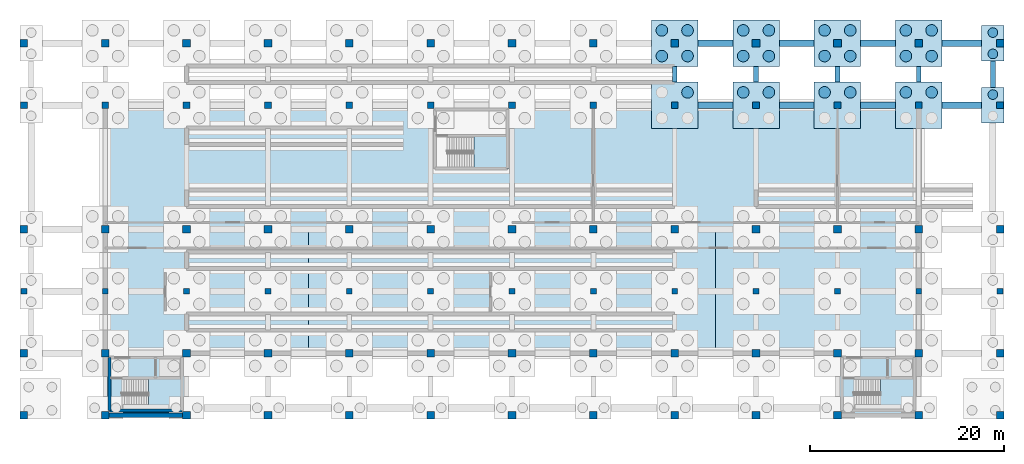
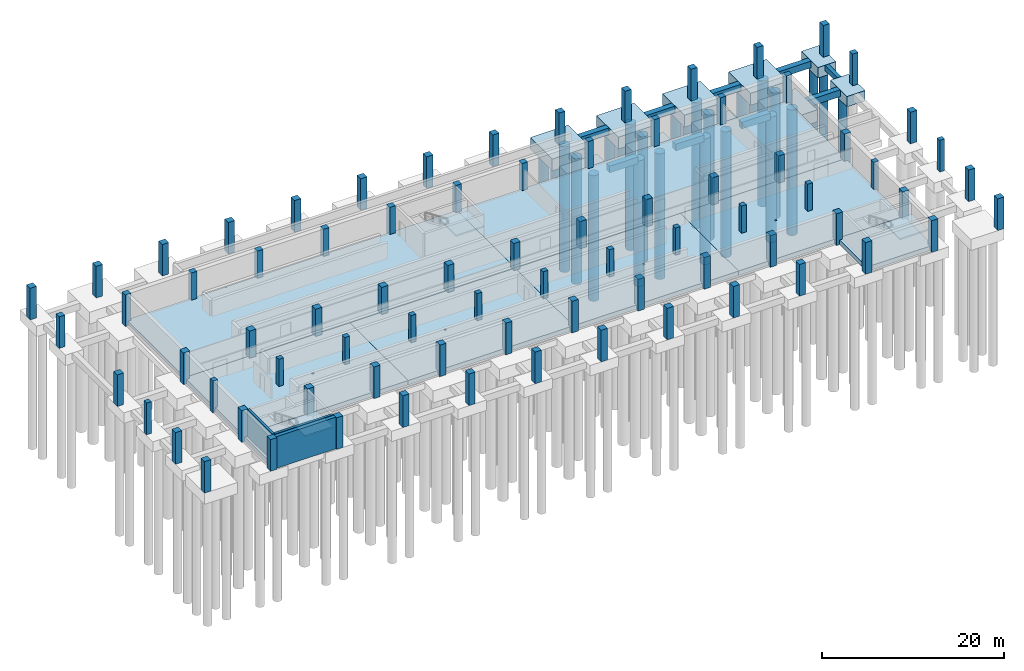
# One storey, part 4 of 9: 78 columns, 26 piles, 23 footings, 11 slabs, 3 walls, 3 elements without a shape of their own.
"""IFC4 building model written with IfcOpenShell, lengths in metres."""

from ifc_helpers import new_model, si_unit, direction, frame, frame_2d, origin, origin_2d, place, context, subcontext, project, spatial, polyline, rectangle, circle, outline, extrude, material, layer, layer_set, material_profile, profile_set, type_object, element, aggregate, save


model = new_model("IFC4")

# Units and contexts
model_context = context("Model", 3, precision=1e-05, world=origin(), true_north=direction((0.0, 1.0)))
body_context = subcontext(model_context, "Body", "Model", "MODEL_VIEW")
ifc_project = project(units=[si_unit("LENGTHUNIT", "METRE"), si_unit("AREAUNIT", "SQUARE_METRE"), si_unit("VOLUMEUNIT", "CUBIC_METRE"), si_unit("PLANEANGLEUNIT", "RADIAN"), si_unit("MASSUNIT", "GRAM", prefix="KILO")], contexts=[model_context])

# Site, building, storey
site_placement = place(None, origin())
site = spatial("IfcSite", under=ifc_project, at=site_placement, CompositionType="ELEMENT")
building_placement = place(site_placement, origin())
building = spatial("IfcBuilding", under=site, at=building_placement, Name="Kazenagashi Tramway Depot", CompositionType="ELEMENT")
storey_placement = place(building_placement, frame((0.0, 0.0, -4.0)))
storey = spatial("IfcBuildingStorey", under=building, at=storey_placement, Name="B01", CompositionType="ELEMENT", Elevation=-4.0)

# Piles
ifc_material_1 = material(Name="Concrete Fc30", Category="concrete")
ifc_material_profile_1 = material_profile(ifc_material_1, circle(Radius=0.5, at=origin_2d()), Name="PILE-1000")
ifc_profile_set_1 = profile_set([ifc_material_profile_1], Name="Concrete Fc30")
pile_type_1 = type_object("IfcPileType", Name="BP-01", PredefinedType="BORED", material=ifc_profile_set_1)
for number, where, z_axis, x_axis, name in (
    (1, (144.85, 53.8, -1.9), (0.0, 0.0, -1.0), (1.0, 0.0, 0.0), "Bored Pile BP-01 PILE-0475"),
    (2, (144.85, 56.0, -1.9), (0.0, 0.0, -1.0), (1.0, 0.0, 0.0), "Bored Pile BP-01 PILE-0476"),
    (3, (144.85, 49.6, -1.9), (0.0, 0.0, -1.0), (1.0, 0.0, 0.0), "Bored Pile BP-01 PILE-0478"),
):
    element("IfcPile", number, at=place(storey_placement, frame(where, z_axis=z_axis, x_axis=x_axis)), inside=storey, type_object=pile_type_1, Name=name, PredefinedType="BORED", context=body_context, shape_type="SweptSolid", body=[
        extrude(circle(Radius=0.5, at=origin_2d()), origin(), (0.0, 0.0, 1.0), 17.1),
    ])
ifc_material_profile_2 = material_profile(ifc_material_1, circle(Radius=0.6, at=origin_2d()), Name="PILE-1200")
ifc_profile_set_2 = profile_set([ifc_material_profile_2], Name="Concrete Fc30")
pile_type_2 = type_object("IfcPileType", Name="BP-02", PredefinedType="BORED", material=ifc_profile_set_2)
for number, where, z_axis, x_axis, name in (
    (4, (110.675, 53.575, -2.1), (0.0, 0.0, -1.0), (1.0, 0.0, 0.0), "Bored Pile BP-02 PILE-0391"),
    (5, (113.325, 53.575, -2.1), (0.0, 0.0, -1.0), (1.0, 0.0, 0.0), "Bored Pile BP-02 PILE-0392"),
    (6, (110.675, 56.225, -2.1), (0.0, 0.0, -1.0), (1.0, 0.0, 0.0), "Bored Pile BP-02 PILE-0393"),
    (7, (113.325, 56.225, -2.1), (0.0, 0.0, -1.0), (1.0, 0.0, 0.0), "Bored Pile BP-02 PILE-0394"),
    (8, (113.325, 49.825, -2.1), (0.0, 0.0, -1.0), (1.0, 0.0, 0.0), "Bored Pile BP-02 PILE-0398"),
    (9, (119.075, 53.575, -2.1), (0.0, 0.0, -1.0), (1.0, 0.0, 0.0), "Bored Pile BP-02 PILE-0413"),
    (10, (121.725, 53.575, -2.1), (0.0, 0.0, -1.0), (1.0, 0.0, 0.0), "Bored Pile BP-02 PILE-0414"),
    (11, (119.075, 56.225, -2.1), (0.0, 0.0, -1.0), (1.0, 0.0, 0.0), "Bored Pile BP-02 PILE-0415"),
    (12, (121.725, 56.225, -2.1), (0.0, 0.0, -1.0), (1.0, 0.0, 0.0), "Bored Pile BP-02 PILE-0416"),
    (13, (119.075, 49.825, -2.1), (0.0, 0.0, -1.0), (1.0, 0.0, 0.0), "Bored Pile BP-02 PILE-0419"),
    (14, (121.725, 49.825, -2.1), (0.0, 0.0, -1.0), (1.0, 0.0, 0.0), "Bored Pile BP-02 PILE-0420"),
    (15, (127.475, 53.575, -2.1), (0.0, 0.0, -1.0), (1.0, 0.0, 0.0), "Bored Pile BP-02 PILE-0435"),
    (16, (130.125, 53.575, -2.1), (0.0, 0.0, -1.0), (1.0, 0.0, 0.0), "Bored Pile BP-02 PILE-0436"),
    (17, (127.475, 56.225, -2.1), (0.0, 0.0, -1.0), (1.0, 0.0, 0.0), "Bored Pile BP-02 PILE-0437"),
    (18, (130.125, 56.225, -2.1), (0.0, 0.0, -1.0), (1.0, 0.0, 0.0), "Bored Pile BP-02 PILE-0438"),
    (19, (127.475, 49.825, -2.1), (0.0, 0.0, -1.0), (1.0, 0.0, 0.0), "Bored Pile BP-02 PILE-0441"),
    (20, (130.125, 49.825, -2.1), (0.0, 0.0, -1.0), (1.0, 0.0, 0.0), "Bored Pile BP-02 PILE-0442"),
    (21, (135.875, 53.575, -2.1), (0.0, 0.0, -1.0), (1.0, 0.0, 0.0), "Bored Pile BP-02 PILE-0457"),
    (22, (138.525, 53.575, -2.1), (0.0, 0.0, -1.0), (1.0, 0.0, 0.0), "Bored Pile BP-02 PILE-0458"),
    (23, (135.875, 56.225, -2.1), (0.0, 0.0, -1.0), (1.0, 0.0, 0.0), "Bored Pile BP-02 PILE-0459"),
    (24, (138.525, 56.225, -2.1), (0.0, 0.0, -1.0), (1.0, 0.0, 0.0), "Bored Pile BP-02 PILE-0460"),
    (25, (135.875, 49.825, -2.1), (0.0, 0.0, -1.0), (1.0, 0.0, 0.0), "Bored Pile BP-02 PILE-0463"),
    (26, (138.525, 49.825, -2.1), (0.0, 0.0, -1.0), (1.0, 0.0, 0.0), "Bored Pile BP-02 PILE-0464"),
):
    element("IfcPile", number, at=place(storey_placement, frame(where, z_axis=z_axis, x_axis=x_axis)), inside=storey, type_object=pile_type_2, Name=name, PredefinedType="BORED", context=body_context, shape_type="SweptSolid", body=[
        extrude(circle(Radius=0.6, at=origin_2d()), origin(), (0.0, 0.0, 1.0), 16.9),
    ])

# Footings
footing_type_1 = type_object("IfcFootingType", Name="FB-02", PredefinedType="FOOTING_BEAM", material=ifc_material_1)
footing_1_placement = place(storey_placement, frame((0.0, 0.0, -1.5)))
element("IfcFooting", 27, at=footing_1_placement, inside=storey, type_object=footing_type_1, Name="Footing Tie Beam FB-0480", PredefinedType="FOOTING_BEAM", context=body_context, shape_type="SweptSolid", body=[
    extrude(outline(polyline([(114.4, 48.15), (118.0, 48.15), (118.0, 48.85), (114.4, 48.85), (114.4, 48.15)])), origin(), (0.0, 0.0, 1.0), 0.9),
])
footing_2_placement = place(storey_placement, frame((0.0, 0.0, -1.5)))
element("IfcFooting", 28, at=footing_2_placement, inside=storey, type_object=footing_type_1, Name="Footing Tie Beam FB-0481", PredefinedType="FOOTING_BEAM", context=body_context, shape_type="SweptSolid", body=[
    extrude(outline(polyline([(122.8, 48.15), (126.4, 48.15), (126.4, 48.85), (122.8, 48.85), (122.8, 48.15)])), origin(), (0.0, 0.0, 1.0), 0.9),
])
footing_3_placement = place(storey_placement, frame((0.0, 0.0, -1.5)))
element("IfcFooting", 29, at=footing_3_placement, inside=storey, type_object=footing_type_1, Name="Footing Tie Beam FB-0482", PredefinedType="FOOTING_BEAM", context=body_context, shape_type="SweptSolid", body=[
    extrude(outline(polyline([(131.2, 48.15), (134.8, 48.15), (134.8, 48.85), (131.2, 48.85), (131.2, 48.15)])), origin(), (0.0, 0.0, 1.0), 0.9),
])
footing_4_placement = place(storey_placement, frame((0.0, 0.0, -1.5)))
element("IfcFooting", 30, at=footing_4_placement, inside=storey, type_object=footing_type_1, Name="Footing Tie Beam FB-0483", PredefinedType="FOOTING_BEAM", context=body_context, shape_type="SweptSolid", body=[
    extrude(outline(polyline([(139.6, 48.15), (143.7, 48.15), (143.7, 48.85), (139.6, 48.85), (139.6, 48.15)])), origin(), (0.0, 0.0, 1.0), 0.9),
])
footing_5_placement = place(storey_placement, frame((0.0, 0.0, -1.5)))
element("IfcFooting", 31, at=footing_5_placement, inside=storey, type_object=footing_type_1, Name="Footing Tie Beam FB-0492", PredefinedType="FOOTING_BEAM", context=body_context, shape_type="SweptSolid", body=[
    extrude(outline(polyline([(114.4, 54.55), (118.0, 54.55), (118.0, 55.25), (114.4, 55.25), (114.4, 54.55)])), origin(), (0.0, 0.0, 1.0), 0.9),
])
footing_6_placement = place(storey_placement, frame((0.0, 0.0, -1.5)))
element("IfcFooting", 32, at=footing_6_placement, inside=storey, type_object=footing_type_1, Name="Footing Tie Beam FB-0493", PredefinedType="FOOTING_BEAM", context=body_context, shape_type="SweptSolid", body=[
    extrude(outline(polyline([(122.8, 54.55), (126.4, 54.55), (126.4, 55.25), (122.8, 55.25), (122.8, 54.55)])), origin(), (0.0, 0.0, 1.0), 0.9),
])
footing_7_placement = place(storey_placement, frame((0.0, 0.0, -1.5)))
element("IfcFooting", 33, at=footing_7_placement, inside=storey, type_object=footing_type_1, Name="Footing Tie Beam FB-0494", PredefinedType="FOOTING_BEAM", context=body_context, shape_type="SweptSolid", body=[
    extrude(outline(polyline([(131.2, 54.55), (134.8, 54.55), (134.8, 55.25), (131.2, 55.25), (131.2, 54.55)])), origin(), (0.0, 0.0, 1.0), 0.9),
])
footing_8_placement = place(storey_placement, frame((0.0, 0.0, -1.5)))
element("IfcFooting", 34, at=footing_8_placement, inside=storey, type_object=footing_type_1, Name="Footing Tie Beam FB-0495", PredefinedType="FOOTING_BEAM", context=body_context, shape_type="SweptSolid", body=[
    extrude(outline(polyline([(139.6, 54.55), (143.7, 54.55), (143.7, 55.25), (139.6, 55.25), (139.6, 54.55)])), origin(), (0.0, 0.0, 1.0), 0.9),
])
footing_type_2 = type_object("IfcFootingType", Name="FB-03", PredefinedType="FOOTING_BEAM", material=ifc_material_1)
footing_9_placement = place(storey_placement, frame((0.0, 0.0, -1.35)))
element("IfcFooting", 35, at=footing_9_placement, inside=storey, type_object=footing_type_2, Name="Footing Tie Beam FB-0539", PredefinedType="FOOTING_BEAM", context=body_context, shape_type="SweptSolid", body=[
    extrude(outline(polyline([(111.75, 50.9), (112.25, 50.9), (112.25, 52.5), (111.75, 52.5), (111.75, 50.9)])), origin(), (0.0, 0.0, 1.0), 0.75),
])
footing_10_placement = place(storey_placement, frame((0.0, 0.0, -1.35)))
element("IfcFooting", 36, at=footing_10_placement, inside=storey, type_object=footing_type_2, Name="Footing Tie Beam FB-0544", PredefinedType="FOOTING_BEAM", context=body_context, shape_type="SweptSolid", body=[
    extrude(outline(polyline([(120.15, 50.9), (120.65, 50.9), (120.65, 52.5), (120.15, 52.5), (120.15, 50.9)])), origin(), (0.0, 0.0, 1.0), 0.75),
])
footing_11_placement = place(storey_placement, frame((0.0, 0.0, -1.35)))
element("IfcFooting", 37, at=footing_11_placement, inside=storey, type_object=footing_type_2, Name="Footing Tie Beam FB-0549", PredefinedType="FOOTING_BEAM", context=body_context, shape_type="SweptSolid", body=[
    extrude(outline(polyline([(128.55, 50.9), (129.05, 50.9), (129.05, 52.5), (128.55, 52.5), (128.55, 50.9)])), origin(), (0.0, 0.0, 1.0), 0.75),
])
footing_12_placement = place(storey_placement, frame((0.0, 0.0, -1.35)))
element("IfcFooting", 38, at=footing_12_placement, inside=storey, type_object=footing_type_2, Name="Footing Tie Beam FB-0554", PredefinedType="FOOTING_BEAM", context=body_context, shape_type="SweptSolid", body=[
    extrude(outline(polyline([(136.95, 50.9), (137.45, 50.9), (137.45, 52.5), (136.95, 52.5), (136.95, 50.9)])), origin(), (0.0, 0.0, 1.0), 0.75),
])
footing_13_placement = place(storey_placement, frame((0.0, 0.0, -1.35)))
element("IfcFooting", 39, at=footing_13_placement, inside=storey, type_object=footing_type_2, Name="Footing Tie Beam FB-0558", PredefinedType="FOOTING_BEAM", context=body_context, shape_type="SweptSolid", body=[
    extrude(outline(polyline([(144.6, 50.32), (145.1, 50.32), (145.1, 53.08), (144.6, 53.08), (144.6, 50.32)])), origin(), (0.0, 0.0, 1.0), 0.75),
])
footing_type_3 = type_object("IfcFootingType", Name="PC-06", PredefinedType="PILE_CAP", material=ifc_material_1)
for number, where, z_axis, x_axis, name in (
    (40, (112.0, 54.9, -2.2), (0.0, 0.0, 1.0), (1.0, 0.0, 0.0), "Pile Cap PC-06 CAP-138"),
    (41, (112.0, 48.5, -2.2), (0.0, 0.0, 1.0), (1.0, 0.0, 0.0), "Pile Cap PC-06 CAP-139"),
    (42, (120.4, 54.9, -2.2), (0.0, 0.0, 1.0), (1.0, 0.0, 0.0), "Pile Cap PC-06 CAP-144"),
    (43, (120.4, 48.5, -2.2), (0.0, 0.0, 1.0), (1.0, 0.0, 0.0), "Pile Cap PC-06 CAP-145"),
    (44, (128.8, 54.9, -2.2), (0.0, 0.0, 1.0), (1.0, 0.0, 0.0), "Pile Cap PC-06 CAP-150"),
    (45, (128.8, 48.5, -2.2), (0.0, 0.0, 1.0), (1.0, 0.0, 0.0), "Pile Cap PC-06 CAP-151"),
    (46, (137.2, 54.9, -2.2), (0.0, 0.0, 1.0), (1.0, 0.0, 0.0), "Pile Cap PC-06 CAP-156"),
    (47, (137.2, 48.5, -2.2), (0.0, 0.0, 1.0), (1.0, 0.0, 0.0), "Pile Cap PC-06 CAP-157"),
):
    element("IfcFooting", number, at=place(storey_placement, frame(where, z_axis=z_axis, x_axis=x_axis)), inside=storey, type_object=footing_type_3, Name=name, PredefinedType="PILE_CAP", context=body_context, shape_type="SweptSolid", body=[
        extrude(rectangle(XDim=4.8, YDim=4.8, at=origin_2d()), origin(), (0.0, 0.0, 1.0), 1.6),
    ])
footing_type_4 = type_object("IfcFootingType", Name="PC-11", PredefinedType="PILE_CAP", material=ifc_material_1)
for number, where, z_axis, x_axis, name in (
    (48, (144.85, 54.9, -2.0), (0.0, 0.0, 1.0), (1.0, 0.0, 0.0), "Pile Cap PC-11 CAP-162"),
    (49, (144.85, 48.5, -2.0), (0.0, 0.0, 1.0), (1.0, 0.0, 0.0), "Pile Cap PC-11 CAP-163"),
):
    element("IfcFooting", number, at=place(storey_placement, frame(where, z_axis=z_axis, x_axis=x_axis)), inside=storey, type_object=footing_type_4, Name=name, PredefinedType="PILE_CAP", context=body_context, shape_type="SweptSolid", body=[
        extrude(rectangle(XDim=2.3, YDim=3.64, at=origin_2d()), origin(), (0.0, 0.0, 1.0), 1.4),
    ])

# Columns
ifc_material_2 = material(Name="Concrete Fc36", Category="concrete")
ifc_material_profile_3 = material_profile(ifc_material_2, rectangle(XDim=0.8, YDim=0.8, at=origin_2d()), Name="RC-800x800")
ifc_profile_set_3 = profile_set([ifc_material_profile_3], Name="Concrete Fc36")
column_type_1 = type_object("IfcColumnType", Name="C-01", PredefinedType="COLUMN", material=ifc_profile_set_3)
for number, where, z_axis, x_axis, name in (
    (50, (44.8, 16.5, -0.6), (0.0, 0.0, 1.0), (1.0, 0.0, 0.0), "Column C-01 COL-0143"),
    (51, (44.8, 22.9, -0.6), (0.0, 0.0, 1.0), (1.0, 0.0, 0.0), "Column C-01 COL-0147"),
    (52, (44.8, 35.7, -0.6), (0.0, 0.0, 1.0), (1.0, 0.0, 0.0), "Column C-01 COL-0153"),
    (53, (44.8, 54.9, -0.6), (0.0, 0.0, 1.0), (1.0, 0.0, 0.0), "Column C-01 COL-0156"),
    (54, (53.2, 16.5, -0.6), (0.0, 0.0, 1.0), (1.0, 0.0, 0.0), "Column C-01 COL-0160"),
    (55, (53.2, 22.9, -0.6), (0.0, 0.0, 1.0), (1.0, 0.0, 0.0), "Column C-01 COL-0164"),
    (56, (53.2, 35.7, -0.6), (0.0, 0.0, 1.0), (1.0, 0.0, 0.0), "Column C-01 COL-0170"),
    (57, (53.2, 54.9, -0.6), (0.0, 0.0, 1.0), (1.0, 0.0, 0.0), "Column C-01 COL-0173"),
    (58, (61.6, 16.5, -0.6), (0.0, 0.0, 1.0), (1.0, 0.0, 0.0), "Column C-01 COL-0177"),
    (59, (61.6, 22.9, -0.6), (0.0, 0.0, 1.0), (1.0, 0.0, 0.0), "Column C-01 COL-0181"),
    (60, (61.6, 35.7, -0.6), (0.0, 0.0, 1.0), (1.0, 0.0, 0.0), "Column C-01 COL-0187"),
    (61, (61.6, 54.9, -0.6), (0.0, 0.0, 1.0), (1.0, 0.0, 0.0), "Column C-01 COL-0190"),
    (62, (70.0, 16.5, -0.6), (0.0, 0.0, 1.0), (1.0, 0.0, 0.0), "Column C-01 COL-0194"),
    (63, (70.0, 22.9, -0.6), (0.0, 0.0, 1.0), (1.0, 0.0, 0.0), "Column C-01 COL-0198"),
    (64, (70.0, 35.7, -0.6), (0.0, 0.0, 1.0), (1.0, 0.0, 0.0), "Column C-01 COL-0204"),
    (65, (70.0, 54.9, -0.6), (0.0, 0.0, 1.0), (1.0, 0.0, 0.0), "Column C-01 COL-0207"),
    (66, (78.4, 16.5, -0.6), (0.0, 0.0, 1.0), (1.0, 0.0, 0.0), "Column C-01 COL-0211"),
    (67, (78.4, 22.9, -0.6), (0.0, 0.0, 1.0), (1.0, 0.0, 0.0), "Column C-01 COL-0215"),
    (68, (78.4, 35.7, -0.6), (0.0, 0.0, 1.0), (1.0, 0.0, 0.0), "Column C-01 COL-0221"),
    (69, (78.4, 54.9, -0.6), (0.0, 0.0, 1.0), (1.0, 0.0, 0.0), "Column C-01 COL-0224"),
    (70, (86.8, 16.5, -0.6), (0.0, 0.0, 1.0), (1.0, 0.0, 0.0), "Column C-01 COL-0228"),
    (71, (86.8, 22.9, -0.6), (0.0, 0.0, 1.0), (1.0, 0.0, 0.0), "Column C-01 COL-0232"),
    (72, (86.8, 35.7, -0.6), (0.0, 0.0, 1.0), (1.0, 0.0, 0.0), "Column C-01 COL-0238"),
    (73, (86.8, 54.9, -0.6), (0.0, 0.0, 1.0), (1.0, 0.0, 0.0), "Column C-01 COL-0241"),
    (74, (95.2, 16.5, -0.6), (0.0, 0.0, 1.0), (1.0, 0.0, 0.0), "Column C-01 COL-0245"),
    (75, (95.2, 22.9, -0.6), (0.0, 0.0, 1.0), (1.0, 0.0, 0.0), "Column C-01 COL-0249"),
    (76, (95.2, 35.7, -0.6), (0.0, 0.0, 1.0), (1.0, 0.0, 0.0), "Column C-01 COL-0255"),
    (77, (95.2, 54.9, -0.6), (0.0, 0.0, 1.0), (1.0, 0.0, 0.0), "Column C-01 COL-0258"),
    (78, (103.6, 16.5, -0.6), (0.0, 0.0, 1.0), (1.0, 0.0, 0.0), "Column C-01 COL-0262"),
    (79, (103.6, 22.9, -0.6), (0.0, 0.0, 1.0), (1.0, 0.0, 0.0), "Column C-01 COL-0266"),
    (80, (103.6, 35.7, -0.6), (0.0, 0.0, 1.0), (1.0, 0.0, 0.0), "Column C-01 COL-0272"),
    (81, (103.6, 54.9, -0.6), (0.0, 0.0, 1.0), (1.0, 0.0, 0.0), "Column C-01 COL-0275"),
    (82, (112.0, 16.5, -0.6), (0.0, 0.0, 1.0), (1.0, 0.0, 0.0), "Column C-01 COL-0279"),
    (83, (112.0, 22.9, -0.6), (0.0, 0.0, 1.0), (1.0, 0.0, 0.0), "Column C-01 COL-0283"),
    (84, (112.0, 35.7, -0.6), (0.0, 0.0, 1.0), (1.0, 0.0, 0.0), "Column C-01 COL-0289"),
    (85, (112.0, 54.9, -0.6), (0.0, 0.0, 1.0), (1.0, 0.0, 0.0), "Column C-01 COL-0292"),
    (86, (120.4, 16.5, -0.6), (0.0, 0.0, 1.0), (1.0, 0.0, 0.0), "Column C-01 COL-0296"),
    (87, (120.4, 22.9, -0.6), (0.0, 0.0, 1.0), (1.0, 0.0, 0.0), "Column C-01 COL-0300"),
    (88, (120.4, 35.7, -0.6), (0.0, 0.0, 1.0), (1.0, 0.0, 0.0), "Column C-01 COL-0306"),
    (89, (120.4, 54.9, -0.6), (0.0, 0.0, 1.0), (1.0, 0.0, 0.0), "Column C-01 COL-0309"),
    (90, (128.8, 16.5, -0.6), (0.0, 0.0, 1.0), (1.0, 0.0, 0.0), "Column C-01 COL-0313"),
    (91, (128.8, 22.9, -0.6), (0.0, 0.0, 1.0), (1.0, 0.0, 0.0), "Column C-01 COL-0317"),
    (92, (128.8, 35.7, -0.6), (0.0, 0.0, 1.0), (1.0, 0.0, 0.0), "Column C-01 COL-0323"),
    (93, (128.8, 54.9, -0.6), (0.0, 0.0, 1.0), (1.0, 0.0, 0.0), "Column C-01 COL-0326"),
    (94, (137.2, 16.5, -0.6), (0.0, 0.0, 1.0), (1.0, 0.0, 0.0), "Column C-01 COL-0330"),
    (95, (137.2, 22.9, -0.6), (0.0, 0.0, 1.0), (1.0, 0.0, 0.0), "Column C-01 COL-0334"),
    (96, (137.2, 35.7, -0.6), (0.0, 0.0, 1.0), (1.0, 0.0, 0.0), "Column C-01 COL-0340"),
    (97, (137.2, 54.9, -0.6), (0.0, 0.0, 1.0), (1.0, 0.0, 0.0), "Column C-01 COL-0343"),
    (98, (145.6, 16.5, -0.6), (0.0, 0.0, 1.0), (1.0, 0.0, 0.0), "Column C-01 COL-0347"),
    (99, (145.6, 22.9, -0.6), (0.0, 0.0, 1.0), (1.0, 0.0, 0.0), "Column C-01 COL-0351"),
    (100, (145.6, 35.7, -0.6), (0.0, 0.0, 1.0), (1.0, 0.0, 0.0), "Column C-01 COL-0357"),
    (101, (145.6, 54.9, -0.6), (0.0, 0.0, 1.0), (1.0, 0.0, 0.0), "Column C-01 COL-0360"),
):
    element("IfcColumn", number, at=place(storey_placement, frame(where, z_axis=z_axis, x_axis=x_axis)), inside=storey, type_object=column_type_1, Name=name, PredefinedType="COLUMN", context=body_context, shape_type="SweptSolid", body=[
        extrude(rectangle(XDim=0.8, YDim=0.8, at=origin_2d()), origin(), (0.0, 0.0, 1.0), 4.25),
    ])
ifc_material_profile_4 = material_profile(ifc_material_2, rectangle(XDim=0.6, YDim=0.6, at=origin_2d()), Name="RC-600x600")
ifc_profile_set_4 = profile_set([ifc_material_profile_4], Name="Concrete Fc36")
column_type_2 = type_object("IfcColumnType", Name="C-02", PredefinedType="COLUMN", material=ifc_profile_set_4)
for number, where, z_axis, x_axis, name in (
    (102, (44.8, 29.3, -0.6), (0.0, 0.0, 1.0), (1.0, 0.0, 0.0), "Column C-02 COL-0151"),
    (103, (53.2, 29.3, -0.6), (0.0, 0.0, 1.0), (1.0, 0.0, 0.0), "Column C-02 COL-0168"),
    (104, (61.6, 29.3, -0.6), (0.0, 0.0, 1.0), (1.0, 0.0, 0.0), "Column C-02 COL-0185"),
    (105, (70.0, 29.3, -0.6), (0.0, 0.0, 1.0), (1.0, 0.0, 0.0), "Column C-02 COL-0202"),
    (106, (78.4, 29.3, -0.6), (0.0, 0.0, 1.0), (1.0, 0.0, 0.0), "Column C-02 COL-0219"),
    (107, (86.8, 29.3, -0.6), (0.0, 0.0, 1.0), (1.0, 0.0, 0.0), "Column C-02 COL-0236"),
    (108, (95.2, 29.3, -0.6), (0.0, 0.0, 1.0), (1.0, 0.0, 0.0), "Column C-02 COL-0253"),
    (109, (103.6, 29.3, -0.6), (0.0, 0.0, 1.0), (1.0, 0.0, 0.0), "Column C-02 COL-0270"),
    (110, (112.0, 29.3, -0.6), (0.0, 0.0, 1.0), (1.0, 0.0, 0.0), "Column C-02 COL-0287"),
    (111, (120.4, 29.3, -0.6), (0.0, 0.0, 1.0), (1.0, 0.0, 0.0), "Column C-02 COL-0304"),
    (112, (128.8, 29.3, -0.6), (0.0, 0.0, 1.0), (1.0, 0.0, 0.0), "Column C-02 COL-0321"),
    (113, (137.2, 29.3, -0.6), (0.0, 0.0, 1.0), (1.0, 0.0, 0.0), "Column C-02 COL-0338"),
    (114, (145.6, 29.3, -0.6), (0.0, 0.0, 1.0), (1.0, 0.0, 0.0), "Column C-02 COL-0355"),
):
    element("IfcColumn", number, at=place(storey_placement, frame(where, z_axis=z_axis, x_axis=x_axis)), inside=storey, type_object=column_type_2, Name=name, PredefinedType="COLUMN", context=body_context, shape_type="SweptSolid", body=[
        extrude(rectangle(XDim=0.6, YDim=0.6, at=origin_2d()), origin(), (0.0, 0.0, 1.0), 4.25),
    ])
ifc_material_profile_5 = material_profile(ifc_material_2, rectangle(XDim=0.7, YDim=0.7, at=origin_2d()), Name="RC-700x700")
ifc_profile_set_5 = profile_set([ifc_material_profile_5], Name="Concrete Fc36")
column_type_3 = type_object("IfcColumnType", Name="C-15", PredefinedType="COLUMN", material=ifc_profile_set_5)
for number, where, z_axis, x_axis, name in (
    (115, (44.8, 48.5, -0.6), (0.0, 0.0, 1.0), (1.0, 0.0, 0.0), "Column C-15 COL-0159"),
    (116, (53.2, 48.5, -0.6), (0.0, 0.0, 1.0), (1.0, 0.0, 0.0), "Column C-15 COL-0176"),
    (117, (61.6, 48.5, -0.6), (0.0, 0.0, 1.0), (1.0, 0.0, 0.0), "Column C-15 COL-0193"),
    (118, (70.0, 48.5, -0.6), (0.0, 0.0, 1.0), (1.0, 0.0, 0.0), "Column C-15 COL-0210"),
    (119, (78.4, 48.5, -0.6), (0.0, 0.0, 1.0), (1.0, 0.0, 0.0), "Column C-15 COL-0227"),
    (120, (86.8, 48.5, -0.6), (0.0, 0.0, 1.0), (1.0, 0.0, 0.0), "Column C-15 COL-0244"),
    (121, (95.2, 48.5, -0.6), (0.0, 0.0, 1.0), (1.0, 0.0, 0.0), "Column C-15 COL-0261"),
    (122, (103.6, 48.5, -0.6), (0.0, 0.0, 1.0), (1.0, 0.0, 0.0), "Column C-15 COL-0278"),
    (123, (112.0, 48.5, -0.6), (0.0, 0.0, 1.0), (1.0, 0.0, 0.0), "Column C-15 COL-0295"),
    (124, (120.4, 48.5, -0.6), (0.0, 0.0, 1.0), (1.0, 0.0, 0.0), "Column C-15 COL-0312"),
    (125, (128.8, 48.5, -0.6), (0.0, 0.0, 1.0), (1.0, 0.0, 0.0), "Column C-15 COL-0329"),
    (126, (137.2, 48.5, -0.6), (0.0, 0.0, 1.0), (1.0, 0.0, 0.0), "Column C-15 COL-0346"),
    (127, (145.6, 48.5, -0.6), (0.0, 0.0, 1.0), (1.0, 0.0, 0.0), "Column C-15 COL-0363"),
):
    element("IfcColumn", number, at=place(storey_placement, frame(where, z_axis=z_axis, x_axis=x_axis)), inside=storey, type_object=column_type_3, Name=name, PredefinedType="COLUMN", context=body_context, shape_type="SweptSolid", body=[
        extrude(rectangle(XDim=0.7, YDim=0.7, at=origin_2d()), origin(), (0.0, 0.0, 1.0), 4.25),
    ])

# Slabs
ifc_layer_1 = layer(ifc_material_2, 0.6)
ifc_layer_set_1 = layer_set([ifc_layer_1], Name="Concrete Fc36")
slab_type_1 = type_object("IfcSlabType", Name="SL-B1", PredefinedType="BASESLAB", material=ifc_layer_set_1)
slab_1_placement = place(storey_placement, frame((0.0, 0.0, -0.6)))
element("IfcSlab", 128, at=slab_1_placement, inside=storey, type_object=slab_type_1, Name="Wheel Lathe Mat A SLAB-001", PredefinedType="BASESLAB", context=body_context, shape_type="SweptSolid", body=[
    extrude(outline(polyline([(53.2, 22.9), (74.2, 22.9), (74.2, 35.7), (53.2, 35.7), (53.2, 22.9)]), holes=[polyline([(65.7, 29.19), (65.92, 29.19), (65.92, 29.41), (65.7, 29.41), (65.7, 29.19)])]), origin(), (0.0, 0.0, 1.0), 0.6),
])
slab_2_placement = place(storey_placement, frame((0.0, 0.0, -0.6)))
element("IfcSlab", 129, at=slab_2_placement, inside=storey, type_object=slab_type_1, Name="Wheel Lathe Mat B SLAB-002", PredefinedType="BASESLAB", context=body_context, shape_type="SweptSolid", body=[
    extrude(outline(polyline([(74.2, 22.9), (95.2, 22.9), (95.2, 35.7), (74.2, 35.7), (74.2, 22.9)]), holes=[polyline([(82.5, 29.19), (82.72, 29.19), (82.72, 29.41), (82.5, 29.41), (82.5, 29.19)])]), origin(), (0.0, 0.0, 1.0), 0.6),
])
slab_3_placement = place(storey_placement, frame((0.0, 0.0, -0.6)))
element("IfcSlab", 130, at=slab_3_placement, inside=storey, type_object=slab_type_1, Name="Bogie Drop Mat A SLAB-003", PredefinedType="BASESLAB", context=body_context, shape_type="SweptSolid", body=[
    extrude(outline(polyline([(95.2, 22.9), (116.2, 22.9), (116.2, 35.7), (95.2, 35.7), (95.2, 22.9)]), holes=[polyline([(107.7, 29.19), (107.92, 29.19), (107.92, 29.41), (107.7, 29.41), (107.7, 29.19)])]), origin(), (0.0, 0.0, 1.0), 0.6),
])
slab_4_placement = place(storey_placement, frame((0.0, 0.0, -0.6)))
element("IfcSlab", 131, at=slab_4_placement, inside=storey, type_object=slab_type_1, Name="Bogie Drop Mat B SLAB-004", PredefinedType="BASESLAB", context=body_context, shape_type="SweptSolid", body=[
    extrude(outline(polyline([(116.2, 22.9), (137.2, 22.9), (137.2, 35.7), (116.2, 35.7), (116.2, 22.9)]), holes=[polyline([(124.5, 29.19), (124.72, 29.19), (124.72, 29.41), (124.5, 29.41), (124.5, 29.19)])]), origin(), (0.0, 0.0, 1.0), 0.6),
])
slab_5_placement = place(storey_placement, frame((0.0, 0.0, -0.6)))
element("IfcSlab", 132, at=slab_5_placement, inside=storey, type_object=slab_type_1, Name="West Overhaul Core Basement Mat SLAB-007", PredefinedType="BASESLAB", context=body_context, shape_type="SweptSolid", body=[
    extrude(outline(polyline([(53.2, 16.5), (61.6, 16.5), (61.6, 22.9), (53.2, 22.9), (53.2, 16.5)])), origin(), (0.0, 0.0, 1.0), 0.6),
])
slab_6_placement = place(storey_placement, frame((0.0, 0.0, -0.6)))
element("IfcSlab", 133, at=slab_6_placement, inside=storey, type_object=slab_type_1, Name="East Overhaul Core Basement Mat SLAB-008", PredefinedType="BASESLAB", context=body_context, shape_type="SweptSolid", body=[
    extrude(outline(polyline([(128.8, 16.5), (137.2, 16.5), (137.2, 22.9), (128.8, 22.9), (128.8, 16.5)])), origin(), (0.0, 0.0, 1.0), 0.6),
])
ifc_layer_2 = layer(ifc_material_2, 0.45)
ifc_layer_set_2 = layer_set([ifc_layer_2], Name="Concrete Fc36")
slab_type_2 = type_object("IfcSlabType", Name="SL-B2", PredefinedType="BASESLAB", material=ifc_layer_set_2)
slab_7_placement = place(storey_placement, frame((0.0, 0.0, -0.45)))
element("IfcSlab", 134, at=slab_7_placement, inside=storey, type_object=slab_type_2, Name="Subfloor Gallery Slab A SLAB-005", PredefinedType="BASESLAB", context=body_context, shape_type="SweptSolid", body=[
    extrude(outline(polyline([(53.2, 35.7), (95.2, 35.7), (95.2, 48.5), (53.2, 48.5), (53.2, 35.7)]), holes=[polyline([(65.7, 48.39), (65.92, 48.39), (65.92, 48.49), (65.7, 48.49), (65.7, 48.39)])]), origin(), (0.0, 0.0, 1.0), 0.45),
])
slab_8_placement = place(storey_placement, frame((0.0, 0.0, -0.45)))
element("IfcSlab", 135, at=slab_8_placement, inside=storey, type_object=slab_type_2, Name="Reclamation Sump Slab B SLAB-006", PredefinedType="BASESLAB", context=body_context, shape_type="SweptSolid", body=[
    extrude(outline(polyline([(95.2, 35.7), (137.2, 35.7), (137.2, 48.5), (95.2, 48.5), (95.2, 35.7)]), holes=[polyline([(107.7, 48.39), (107.92, 48.39), (107.92, 48.49), (107.7, 48.49), (107.7, 48.39)])]), origin(), (0.0, 0.0, 1.0), 0.45),
])

# Stair, slab
stair_type = type_object("IfcStairType", Name="ST-T1", PredefinedType="USERDEFINED", material=ifc_material_2)
stair_1_placement = place(storey_placement, origin())
stair_1 = element("IfcStair", 136, at=stair_1_placement, inside=storey, type_object=stair_type, Name="Enclosed Escape Stair ST-16", ObjectType="TWO_RETURN_STAIR", PredefinedType="USERDEFINED")
ifc_layer_3 = layer(ifc_material_2, 0.195)
ifc_layer_set_3 = layer_set([ifc_layer_3], Name="Concrete Fc36")
slab_type_3 = type_object("IfcSlabType", Name="SL-LD1", PredefinedType="LANDING", material=ifc_layer_set_3)
slab_9_placement = place(storey_placement, frame((0.0, 0.0, 1.805)))
slab_9 = element("IfcSlab", 137, at=slab_9_placement, type_object=slab_type_3, Name="ST-16 landing 1", PredefinedType="LANDING", context=body_context, shape_type="SweptSolid", body=[
    extrude(outline(polyline([(57.652, 16.91), (61.24, 16.91), (61.24, 20.4), (57.652, 20.4), (57.652, 16.91)])), origin(), (0.0, 0.0, 1.0), 0.195),
])
aggregate(stair_1, [slab_9])

stair_2_placement = place(storey_placement, origin())
stair_2 = element("IfcStair", 138, at=stair_2_placement, inside=storey, type_object=stair_type, Name="Enclosed Escape Stair ST-19", ObjectType="TWO_RETURN_STAIR", PredefinedType="USERDEFINED")
slab_10_placement = place(storey_placement, frame((0.0, 0.0, 1.805)))
slab_10 = element("IfcSlab", 139, at=slab_10_placement, type_object=slab_type_3, Name="ST-19 landing 1", PredefinedType="LANDING", context=body_context, shape_type="SweptSolid", body=[
    extrude(outline(polyline([(133.252, 16.91), (136.84, 16.91), (136.84, 20.4), (133.252, 20.4), (133.252, 16.91)])), origin(), (0.0, 0.0, 1.0), 0.195),
])
aggregate(stair_2, [slab_10])

stair_3_placement = place(storey_placement, origin())
stair_3 = element("IfcStair", 140, at=stair_3_placement, inside=storey, type_object=stair_type, Name="Enclosed Escape Stair ST-22", ObjectType="TWO_RETURN_STAIR", PredefinedType="USERDEFINED")
slab_11_placement = place(storey_placement, frame((0.0, 0.0, 1.805)))
slab_11 = element("IfcSlab", 141, at=slab_11_placement, type_object=slab_type_3, Name="ST-22 landing 1", PredefinedType="LANDING", context=body_context, shape_type="SweptSolid", body=[
    extrude(outline(polyline([(91.252, 41.91), (94.84, 41.91), (94.84, 45.4), (91.252, 45.4), (91.252, 41.91)])), origin(), (0.0, 0.0, 1.0), 0.195),
])
aggregate(stair_3, [slab_11])

# Walls
ifc_layer_4 = layer(ifc_material_2, 0.45)
ifc_layer_set_4 = layer_set([ifc_layer_4], Name="Concrete Fc36")
wall_type_1 = type_object("IfcWallType", Name="RW-01", PredefinedType="USERDEFINED", material=ifc_layer_set_4)
wall_1_placement = place(storey_placement, frame((53.2, 16.5, -0.6), z_axis=(0.0, 0.0, 1.0), x_axis=(1.0, 0.0, 0.0)))
element("IfcWall", 142, at=wall_1_placement, inside=storey, type_object=wall_type_1, Name="Basement Retaining Wall RW-S0W", ObjectType="RETAININGWALL", PredefinedType="USERDEFINED", context=body_context, shape_type="SweptSolid", body=[
    extrude(rectangle(XDim=8.4, YDim=0.45, at=frame_2d((4.2, 0.0))), origin(), (0.0, 0.0, 1.0), 4.25),
])
ifc_layer_5 = layer(ifc_material_2, 0.3)
ifc_layer_set_5 = layer_set([ifc_layer_5], Name="Concrete Fc36")
wall_type_2 = type_object("IfcWallType", Name="W-RC1", PredefinedType="SHEAR", material=ifc_layer_set_5)
wall_2_placement = place(storey_placement, frame((53.66, 16.96, -0.6), z_axis=(0.0, 0.0, 1.0), x_axis=(1.0, 0.0, 0.0)))
element("IfcWall", 143, at=wall_2_placement, inside=storey, type_object=wall_type_2, Name="Core Shear Wall W-RC1 IWALL-0123", PredefinedType="SHEAR", context=body_context, shape_type="SweptSolid", body=[
    extrude(rectangle(XDim=7.48, YDim=0.3, at=frame_2d((3.74, 0.0))), origin(), (0.0, 0.0, 1.0), 4.25),
])
wall_3_placement = place(storey_placement, frame((53.66, 16.96, -0.6), z_axis=(0.0, 0.0, 1.0), x_axis=(0.0, 1.0, 0.0)))
element("IfcWall", 144, at=wall_3_placement, inside=storey, type_object=wall_type_2, Name="Core Shear Wall W-RC1 IWALL-0125", PredefinedType="SHEAR", context=body_context, shape_type="SweptSolid", body=[
    extrude(rectangle(XDim=5.48, YDim=0.3, at=frame_2d((2.74, 0.0))), origin(), (0.0, 0.0, 1.0), 4.25),
])

save(model, "model.ifc")
